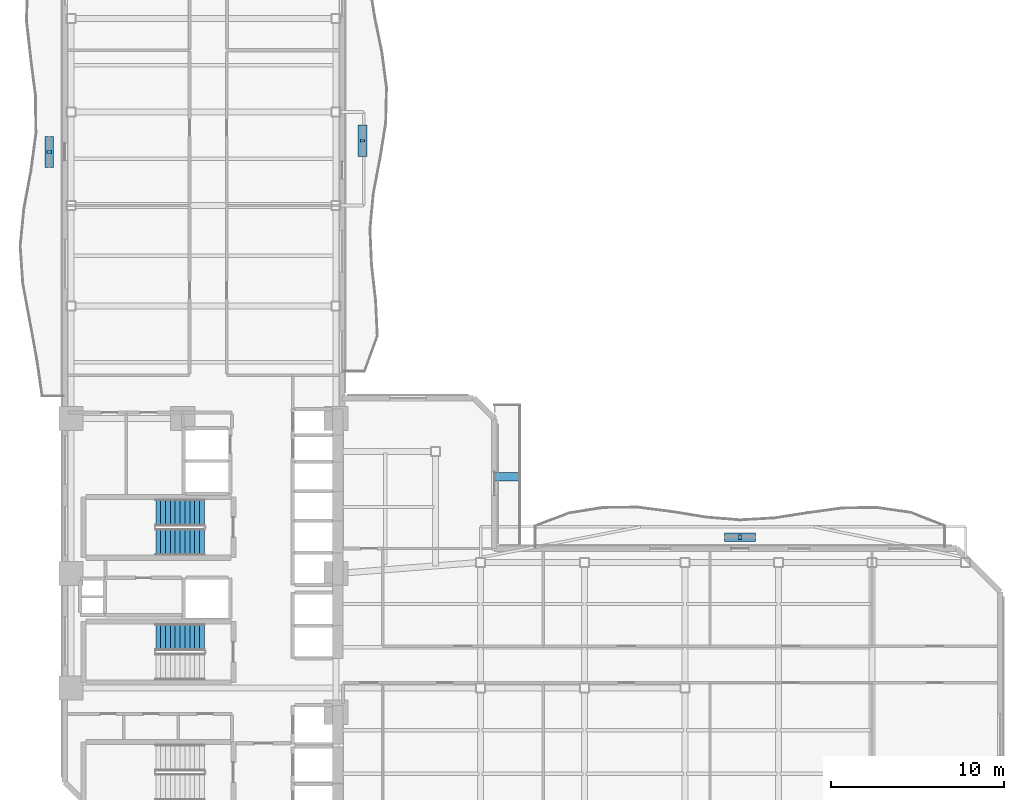
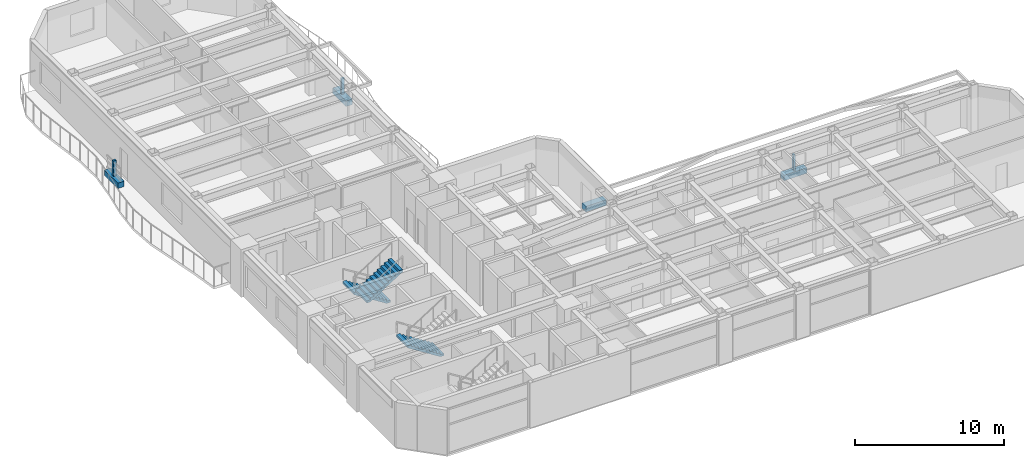
# One storey, part 13 of 17: 7 discrete accessories, 3 stair flights, 2 elements without a shape of their own.
"""IFC4 building model written with IfcOpenShell, lengths in metres."""

from ifc_helpers import new_model, si_unit, direction, frame, origin, origin_2d, place, context, subcontext, project, spatial, polyline, rectangle, outline, extrude, material, type_object, element, aggregate, save


model = new_model("IFC4")

# Units and contexts
model_context = context("Model", 3, precision=1e-05, world=origin(), true_north=direction((0.0, 1.0)))
body_context = subcontext(model_context, "Body", "Model", "MODEL_VIEW")
ifc_project = project(units=[si_unit("LENGTHUNIT", "METRE"), si_unit("AREAUNIT", "SQUARE_METRE"), si_unit("VOLUMEUNIT", "CUBIC_METRE"), si_unit("PLANEANGLEUNIT", "RADIAN"), si_unit("MASSUNIT", "GRAM", prefix="KILO")], contexts=[model_context])

# Site, building, storey
site_placement = place(None, origin())
site = spatial("IfcSite", under=ifc_project, at=site_placement, CompositionType="ELEMENT")
building_placement = place(site_placement, origin())
building = spatial("IfcBuilding", under=site, at=building_placement, Name="Mawjaban Terraces University", CompositionType="ELEMENT")
storey_placement = place(building_placement, frame((0.0, 0.0, 85.60009765625)))
storey = spatial("IfcBuildingStorey", under=building, at=storey_placement, Name="L20", CompositionType="ELEMENT", Elevation=85.60009765625)

# Stair, stair flights
ifc_material_1 = material(Name="Concrete C40/50", Category="concrete")
stair_type = type_object("IfcStairType", Name="Stair_Core1550_H39", PredefinedType="HALF_TURN_STAIR", material=ifc_material_1)
stair_1_placement = place(storey_placement, origin())
stair_1 = element("IfcStair", 1, at=stair_1_placement, inside=storey, type_object=stair_type, Name="L20 Core Exit Stair 2", PredefinedType="HALF_TURN_STAIR")
stair_flight_type = type_object("IfcStairFlightType", Name="Flight_Core1550_H39", PredefinedType="STRAIGHT", material=ifc_material_1)
stair_flight_1_placement = place(storey_placement, frame((30.050048828125, 18.074951171875, 0.0), z_axis=(0.0, 0.0, 1.0), x_axis=(-1.0, 0.0, 0.0)))
stair_flight_1 = element("IfcStairFlight", 2, at=stair_flight_1_placement, type_object=stair_flight_type, Name="ST-2 flight 1", NumberOfRisers=11, NumberOfTreads=10, PredefinedType="STRAIGHT", RiserHeight=0.177272727, TreadLength=0.28, context=body_context, shape_type="SweptSolid", body=[
    extrude(outline(polyline([(0.0, 0.0), (0.0, 0.17724609375), (0.280029296875, 0.17724609375), (0.280029296875, 0.3544921875), (0.56005859375, 0.3544921875), (0.56005859375, 0.53173828125), (0.840087890625, 0.53173828125), (0.840087890625, 0.708984375), (1.1201171875, 0.708984375), (1.1201171875, 0.886474609375), (1.39990234375, 0.886474609375), (1.39990234375, 1.063720703125), (1.679931640625, 1.063720703125), (1.679931640625, 1.240966796875), (1.9599609375, 1.240966796875), (1.9599609375, 1.418212890625), (2.239990234375, 1.418212890625), (2.239990234375, 1.595458984375), (2.52001953125, 1.595458984375), (2.52001953125, 1.772705078125), (2.800048828125, 1.772705078125), (2.800048828125, 1.949951171875), (2.800048828125, 1.59521484375), (0.2802734375, 0.0), (0.0, 0.0)])), frame((0.0, 0.77490234375, 0.0), z_axis=(0.0, -1.0, 0.0), x_axis=(1.0, 0.0, 0.0)), (0.0, 0.0, 1.0), 1.550048828125),
])
stair_flight_2_placement = place(storey_placement, frame((27.25, 16.375, 1.949951171875), z_axis=(0.0, 0.0, 1.0), x_axis=(1.0, 0.0, 0.0)))
stair_flight_2 = element("IfcStairFlight", 3, at=stair_flight_2_placement, type_object=stair_flight_type, Name="ST-2 flight 2", NumberOfRisers=11, NumberOfTreads=10, PredefinedType="STRAIGHT", RiserHeight=0.177272727, TreadLength=0.28, context=body_context, shape_type="SweptSolid", body=[
    extrude(outline(polyline([(0.0, 0.0), (0.0, 0.17724609375), (0.280029296875, 0.17724609375), (0.280029296875, 0.3544921875), (0.56005859375, 0.3544921875), (0.56005859375, 0.53173828125), (0.840087890625, 0.53173828125), (0.840087890625, 0.708984375), (1.1201171875, 0.708984375), (1.1201171875, 0.886474609375), (1.39990234375, 0.886474609375), (1.39990234375, 1.063720703125), (1.679931640625, 1.063720703125), (1.679931640625, 1.240966796875), (1.9599609375, 1.240966796875), (1.9599609375, 1.418212890625), (2.239990234375, 1.418212890625), (2.239990234375, 1.595458984375), (2.52001953125, 1.595458984375), (2.52001953125, 1.772705078125), (2.800048828125, 1.772705078125), (2.800048828125, 1.949951171875), (2.800048828125, 1.59521484375), (0.2802734375, 0.0), (0.0, 0.0)])), frame((0.0, 0.77490234375, 0.0), z_axis=(0.0, -1.0, 0.0), x_axis=(1.0, 0.0, 0.0)), (0.0, 0.0, 1.0), 1.550048828125),
])
aggregate(stair_1, [stair_flight_1, stair_flight_2])

# Stair, stair flight
stair_2_placement = place(storey_placement, origin())
stair_2 = element("IfcStair", 4, at=stair_2_placement, inside=storey, type_object=stair_type, Name="L20 Core Exit Stair 3", PredefinedType="HALF_TURN_STAIR")
stair_flight_3_placement = place(storey_placement, frame((30.050048828125, 10.875, 0.0), z_axis=(0.0, 0.0, 1.0), x_axis=(-1.0, 0.0, 0.0)))
stair_flight_3 = element("IfcStairFlight", 5, at=stair_flight_3_placement, type_object=stair_flight_type, Name="ST-3 flight 1", NumberOfRisers=11, NumberOfTreads=10, PredefinedType="STRAIGHT", RiserHeight=0.177272727, TreadLength=0.28, context=body_context, shape_type="SweptSolid", body=[
    extrude(outline(polyline([(0.0, 0.0), (0.0, 0.17724609375), (0.280029296875, 0.17724609375), (0.280029296875, 0.3544921875), (0.56005859375, 0.3544921875), (0.56005859375, 0.53173828125), (0.840087890625, 0.53173828125), (0.840087890625, 0.708984375), (1.1201171875, 0.708984375), (1.1201171875, 0.886474609375), (1.39990234375, 0.886474609375), (1.39990234375, 1.063720703125), (1.679931640625, 1.063720703125), (1.679931640625, 1.240966796875), (1.9599609375, 1.240966796875), (1.9599609375, 1.418212890625), (2.239990234375, 1.418212890625), (2.239990234375, 1.595458984375), (2.52001953125, 1.595458984375), (2.52001953125, 1.772705078125), (2.800048828125, 1.772705078125), (2.800048828125, 1.949951171875), (2.800048828125, 1.59521484375), (0.2802734375, 0.0), (0.0, 0.0)])), frame((0.0, 0.77490234375, 0.0), z_axis=(0.0, -1.0, 0.0), x_axis=(1.0, 0.0, 0.0)), (0.0, 0.0, 1.0), 1.550048828125),
])
aggregate(stair_2, [stair_flight_3])

# Discrete accessories
ifc_material_2 = material(Name="Stainless steel 316L", Category="steel")
discrete_accessory_type_1 = type_object("IfcDiscreteAccessoryType", Name="FacadeScreenBracket_Steel", PredefinedType="BRACKET", material=ifc_material_2)
for number, where, z_axis, x_axis, name in (
    (6, (21.10205078125, 38.883056640625, 0.419921875), (0.0, 0.0, 1.0), (0.0, 1.0, 0.0), "L20 Balcony Screen Support Bracket west"),
    (7, (60.97509765625, 16.64501953125, 0.419921875), (0.0, 0.0, 1.0), (1.0, 0.0, 0.0), "L20 Balcony Screen Support Bracket inner_north"),
    (8, (39.177978515625, 39.541015625, 0.419921875), (0.0, 0.0, 1.0), (0.0, 1.0, 0.0), "L20 Balcony Screen Support Bracket inner_east"),
):
    element("IfcDiscreteAccessory", number, at=place(storey_placement, frame(where, z_axis=z_axis, x_axis=x_axis)), inside=storey, type_object=discrete_accessory_type_1, Name=name, PredefinedType="BRACKET", context=body_context, shape_type="SweptSolid", body=[
        extrude(rectangle(XDim=0.159912109375, YDim=0.239990234375, at=origin_2d()), origin(), (0.0, 0.0, 1.0), 1.300048828125),
    ])
ifc_material_3 = material(Name="Precast architectural terracotta planter with engineered planting soil", Category="masonry")
discrete_accessory_type_2 = type_object("IfcDiscreteAccessoryType", Name="IrrigatedPlanterTrough_450", PredefinedType="USERDEFINED", material=ifc_material_3)
for number, where, z_axis, x_axis, name in (
    (9, (21.10205078125, 38.883056640625, -0.0048828125), (0.0, 0.0, 1.0), (0.0, 1.0, 0.0), "L20 Balcony Irrigated Planter west"),
    (10, (60.97509765625, 16.64501953125, -0.0048828125), (0.0, 0.0, 1.0), (1.0, 0.0, 0.0), "L20 Balcony Irrigated Planter inner_north"),
    (11, (39.177978515625, 39.541015625, -0.0048828125), (0.0, 0.0, 1.0), (0.0, 1.0, 0.0), "L20 Balcony Irrigated Planter inner_east"),
):
    element("IfcDiscreteAccessory", number, at=place(storey_placement, frame(where, z_axis=z_axis, x_axis=x_axis)), inside=storey, type_object=discrete_accessory_type_2, Name=name, ObjectType="PLANTER", PredefinedType="USERDEFINED", context=body_context, shape_type="SweptSolid", body=[
        extrude(rectangle(XDim=1.800048828125, YDim=0.5, at=origin_2d()), origin(), (0.0, 0.0, 1.0), 0.449951171875),
    ])
discrete_accessory_placement = place(storey_placement, frame((47.52490234375, 20.14208984375, -0.0048828125), z_axis=(0.0, 0.0, 1.0), x_axis=(1.0, 0.0, 0.0)))
element("IfcDiscreteAccessory", 12, at=discrete_accessory_placement, inside=storey, type_object=discrete_accessory_type_2, Name="L20 Terrace Planter TER-L20-CLIMB", ObjectType="PLANTER", PredefinedType="USERDEFINED", context=body_context, shape_type="SweptSolid", body=[
    extrude(rectangle(XDim=1.60009765625, YDim=0.5, at=origin_2d()), origin(), (0.0, 0.0, 1.0), 0.449951171875),
])

save(model, "model.ifc")
